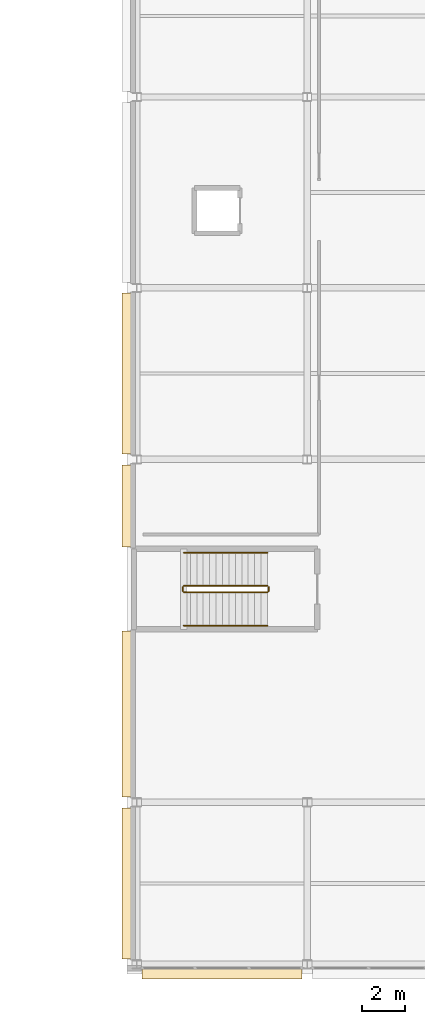
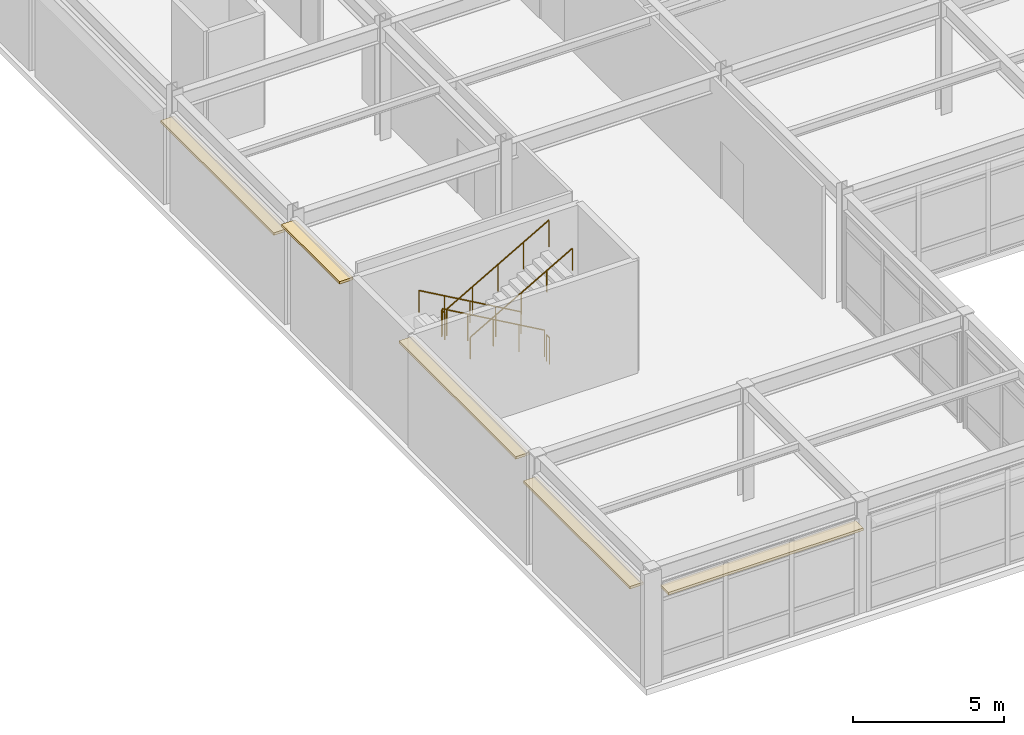
# One storey, part 85 of 93: 6 railings, 5 coverings.
"""IFC4 building model written with IfcOpenShell, lengths in metres."""

from ifc_helpers import new_model, si_unit, direction, frame, origin, origin_2d, place, context, subcontext, project, spatial, rectangle, circle, extrude, material, layer, layer_set, type_object, element, save


model = new_model("IFC4")

# Units and contexts
model_context = context("Model", 3, precision=1e-05, world=origin(), true_north=direction((0.0, 1.0)))
body_context = subcontext(model_context, "Body", "Model", "MODEL_VIEW")
ifc_project = project(units=[si_unit("LENGTHUNIT", "METRE"), si_unit("AREAUNIT", "SQUARE_METRE"), si_unit("VOLUMEUNIT", "CUBIC_METRE"), si_unit("PLANEANGLEUNIT", "RADIAN"), si_unit("MASSUNIT", "GRAM", prefix="KILO")], contexts=[model_context])

# Site, building, storey
site_placement = place(None, origin())
site = spatial("IfcSite", under=ifc_project, at=site_placement, CompositionType="ELEMENT")
building_placement = place(site_placement, origin())
building = spatial("IfcBuilding", under=site, at=building_placement, Name="Kazehara Bluff Congress Hotel", CompositionType="ELEMENT")
storey_placement = place(building_placement, frame((0.0, 0.0, 15.0)))
storey = spatial("IfcBuildingStorey", under=building, at=storey_placement, Name="L03", CompositionType="ELEMENT", Elevation=15.0)

# Coverings
ifc_material_1 = material(Name="Anodised aluminium architectural brise-soleil", Category="aluminium")
ifc_layer = layer(ifc_material_1, 0.10009765625)
ifc_layer_set = layer_set([ifc_layer], Name="Anodised aluminium architectural brise-soleil")
covering_type = type_object("IfcCoveringType", Name="TP-FAC-FIN", PredefinedType="CLADDING", material=ifc_layer_set)
covering_1_placement = place(storey_placement, frame((63.675048828125, 0.030029296875, 3.71484375), z_axis=(0.0, 0.0, 1.0), x_axis=(1.0, 0.0, 0.0)))
element("IfcCovering", 1, at=covering_1_placement, inside=storey, type_object=covering_type, Name="L03 V4 architectural sun-hood 136", PredefinedType="CLADDING", context=body_context, shape_type="SweptSolid", body=[
    extrude(rectangle(XDim=7.449951171875, YDim=0.52001953125, at=origin_2d()), origin(), (0.0, 0.0, 1.0), 0.10009765625),
])
covering_2_placement = place(storey_placement, frame((59.280029296875, 4.22509765625, 3.71484375), z_axis=(0.0, 0.0, 1.0), x_axis=(1.0, 0.0, 0.0)))
element("IfcCovering", 2, at=covering_2_placement, inside=storey, type_object=covering_type, Name="L03 V4 architectural sun-hood 144", PredefinedType="CLADDING", context=body_context, shape_type="SweptSolid", body=[
    extrude(rectangle(XDim=0.52001953125, YDim=7.050048828125, at=origin_2d()), origin(), (0.0, 0.0, 1.0), 0.10009765625),
])
covering_3_placement = place(storey_placement, frame((59.280029296875, 12.1201171875, 4.375), z_axis=(0.0, 0.0, 1.0), x_axis=(1.0, 0.0, 0.0)))
element("IfcCovering", 3, at=covering_3_placement, inside=storey, type_object=covering_type, Name="L03 V4 architectural sun-hood 145", PredefinedType="CLADDING", context=body_context, shape_type="SweptSolid", body=[
    extrude(rectangle(XDim=0.52001953125, YDim=7.735107421875, at=origin_2d()), origin(), (0.0, 0.0, 1.0), 0.10009765625),
])
covering_4_placement = place(storey_placement, frame((59.280029296875, 21.830078125, 4.375), z_axis=(0.0, 0.0, 1.0), x_axis=(1.0, 0.0, 0.0)))
element("IfcCovering", 4, at=covering_4_placement, inside=storey, type_object=covering_type, Name="L03 V4 architectural sun-hood 146", PredefinedType="CLADDING", context=body_context, shape_type="SweptSolid", body=[
    extrude(rectangle(XDim=0.52001953125, YDim=3.8349609375, at=origin_2d()), origin(), (0.0, 0.0, 1.0), 0.10009765625),
])
covering_5_placement = place(storey_placement, frame((59.280029296875, 28.0, 3.71484375), z_axis=(0.0, 0.0, 1.0), x_axis=(1.0, 0.0, 0.0)))
element("IfcCovering", 5, at=covering_5_placement, inside=storey, type_object=covering_type, Name="L03 V4 architectural sun-hood 147", PredefinedType="CLADDING", context=body_context, shape_type="SweptSolid", body=[
    extrude(rectangle(XDim=0.52001953125, YDim=7.5, at=origin_2d()), origin(), (0.0, 0.0, 1.0), 0.10009765625),
])

# Railings
ifc_material_2 = material(Name="Brushed stainless steel", Category="steel")
railing_type_1 = type_object("IfcRailingType", Name="TP-GRD-INT", PredefinedType="GUARDRAIL", material=ifc_material_2)
railing_1_placement = place(storey_placement, frame((65.800048828125, 18.10009765625, 0.17138671875)))
element("IfcRailing", 6, at=railing_1_placement, inside=storey, type_object=railing_type_1, Name="L03 ST-08 stair guard 1", PredefinedType="GUARDRAIL", context=body_context, shape_type="SweptSolid", body=[
    extrude(circle(Radius=0.02392578125, at=origin_2d()), frame((0.0, 0.0, 1.076171875), z_axis=(-0.868256520506, 0.0, 0.496115525457), x_axis=(0.0, -1.0, 0.0)), (0.0, 0.0, 1.0), 4.491943359375),
    extrude(circle(Radius=0.02099609375, at=origin_2d()), origin(), (0.0, 0.0, 1.0), 1.052001953125),
    extrude(circle(Radius=0.02099609375, at=origin_2d()), frame((-0.97509765625, 0.0, 0.55712890625)), (0.0, 0.0, 1.0), 1.052001953125),
    extrude(circle(Radius=0.02099609375, at=origin_2d()), frame((-1.9501953125, 0.0, 1.1142578125)), (0.0, 0.0, 1.0), 1.052001953125),
    extrude(circle(Radius=0.02099609375, at=origin_2d()), frame((-2.925048828125, 0.0, 1.67138671875)), (0.0, 0.0, 1.0), 1.052001953125),
    extrude(circle(Radius=0.02099609375, at=origin_2d()), frame((-3.900146484375, 0.0, 2.228515625)), (0.0, 0.0, 1.0), 1.052001953125),
])
railing_2_placement = place(storey_placement, frame((61.85009765625, 18.050048828125, 2.39990234375)))
element("IfcRailing", 7, at=railing_2_placement, inside=storey, type_object=railing_type_1, Name="L03 ST-08 stair guard 2", PredefinedType="GUARDRAIL", context=body_context, shape_type="SweptSolid", body=[
    extrude(circle(Radius=0.02392578125, at=origin_2d()), frame((0.0, 0.0, 1.076171875), z_axis=(0.0, -1.0, 0.0), x_axis=(1.0, 0.0, 0.0)), (0.0, 0.0, 1.0), 0.199951171875),
    extrude(circle(Radius=0.02099609375, at=origin_2d()), origin(), (0.0, 0.0, 1.0), 1.052001953125),
    extrude(circle(Radius=0.02099609375, at=origin_2d()), frame((0.0, -0.199951171875, 0.0)), (0.0, 0.0, 1.0), 1.052001953125),
])
railing_3_placement = place(storey_placement, frame((61.89990234375, 17.800048828125, 2.571533203125)))
element("IfcRailing", 8, at=railing_3_placement, inside=storey, type_object=railing_type_1, Name="L03 ST-08 stair guard 3", PredefinedType="GUARDRAIL", context=body_context, shape_type="SweptSolid", body=[
    extrude(circle(Radius=0.02392578125, at=origin_2d()), frame((0.0, 0.0, 1.076171875), z_axis=(0.868256520506, 0.0, 0.496115525457), x_axis=(0.0, 1.0, 0.0)), (0.0, 0.0, 1.0), 4.491943359375),
    extrude(circle(Radius=0.02099609375, at=origin_2d()), origin(), (0.0, 0.0, 1.0), 1.052001953125),
    extrude(circle(Radius=0.02099609375, at=origin_2d()), frame((0.97509765625, 0.0, 0.55712890625)), (0.0, 0.0, 1.0), 1.052001953125),
    extrude(circle(Radius=0.02099609375, at=origin_2d()), frame((1.9501953125, 0.0, 1.1142578125)), (0.0, 0.0, 1.0), 1.052001953125),
    extrude(circle(Radius=0.02099609375, at=origin_2d()), frame((2.925048828125, 0.0, 1.67138671875)), (0.0, 0.0, 1.0), 1.052001953125),
    extrude(circle(Radius=0.02099609375, at=origin_2d()), frame((3.900146484375, 0.0, 2.228515625)), (0.0, 0.0, 1.0), 1.052001953125),
])
railing_4_placement = place(storey_placement, frame((65.85009765625, 18.050048828125, 0.0)))
element("IfcRailing", 9, at=railing_4_placement, inside=storey, type_object=railing_type_1, Name="L03 ST-08 stair guard 4", PredefinedType="GUARDRAIL", context=body_context, shape_type="SweptSolid", body=[
    extrude(circle(Radius=0.02392578125, at=origin_2d()), frame((0.0, 0.0, 1.076171875), z_axis=(0.0, -1.0, 0.0), x_axis=(1.0, 0.0, 0.0)), (0.0, 0.0, 1.0), 0.199951171875),
    extrude(circle(Radius=0.02099609375, at=origin_2d()), origin(), (0.0, 0.0, 1.0), 1.052001953125),
    extrude(circle(Radius=0.02099609375, at=origin_2d()), frame((0.0, -0.199951171875, 0.0)), (0.0, 0.0, 1.0), 1.052001953125),
])
ifc_material_3 = material(Name="Brushed stainless steel", Category="steel")
railing_type_2 = type_object("IfcRailingType", Name="TP-HR-INT", PredefinedType="HANDRAIL", material=ifc_material_3)
railing_5_placement = place(storey_placement, frame((65.800048828125, 19.64990234375, 0.17138671875)))
element("IfcRailing", 10, at=railing_5_placement, inside=storey, type_object=railing_type_2, Name="L03 ST-08 stair handrail 1", PredefinedType="HANDRAIL", context=body_context, shape_type="SweptSolid", body=[
    extrude(circle(Radius=0.02392578125, at=origin_2d()), frame((0.0, 0.0, 0.8759765625), z_axis=(-0.868256520506, 0.0, 0.496115525457), x_axis=(0.0, -1.0, 0.0)), (0.0, 0.0, 1.0), 4.491943359375),
    extrude(circle(Radius=0.02099609375, at=origin_2d()), origin(), (0.0, 0.0, 1.0), 0.851806640625),
    extrude(circle(Radius=0.02099609375, at=origin_2d()), frame((-0.97509765625, 0.0, 0.55712890625)), (0.0, 0.0, 1.0), 0.851806640625),
    extrude(circle(Radius=0.02099609375, at=origin_2d()), frame((-1.9501953125, 0.0, 1.1142578125)), (0.0, 0.0, 1.0), 0.851806640625),
    extrude(circle(Radius=0.02099609375, at=origin_2d()), frame((-2.925048828125, 0.0, 1.67138671875)), (0.0, 0.0, 1.0), 0.851806640625),
    extrude(circle(Radius=0.02099609375, at=origin_2d()), frame((-3.900146484375, 0.0, 2.228515625)), (0.0, 0.0, 1.0), 0.851806640625),
])
railing_6_placement = place(storey_placement, frame((61.89990234375, 16.25, 2.571533203125)))
element("IfcRailing", 11, at=railing_6_placement, inside=storey, type_object=railing_type_2, Name="L03 ST-08 stair handrail 2", PredefinedType="HANDRAIL", context=body_context, shape_type="SweptSolid", body=[
    extrude(circle(Radius=0.02392578125, at=origin_2d()), frame((0.0, 0.0, 0.8759765625), z_axis=(0.868256520506, 0.0, 0.496115525457), x_axis=(0.0, 1.0, 0.0)), (0.0, 0.0, 1.0), 4.491943359375),
    extrude(circle(Radius=0.02099609375, at=origin_2d()), origin(), (0.0, 0.0, 1.0), 0.851806640625),
    extrude(circle(Radius=0.02099609375, at=origin_2d()), frame((0.97509765625, 0.0, 0.55712890625)), (0.0, 0.0, 1.0), 0.851806640625),
    extrude(circle(Radius=0.02099609375, at=origin_2d()), frame((1.9501953125, 0.0, 1.1142578125)), (0.0, 0.0, 1.0), 0.851806640625),
    extrude(circle(Radius=0.02099609375, at=origin_2d()), frame((2.925048828125, 0.0, 1.67138671875)), (0.0, 0.0, 1.0), 0.851806640625),
    extrude(circle(Radius=0.02099609375, at=origin_2d()), frame((3.900146484375, 0.0, 2.228515625)), (0.0, 0.0, 1.0), 0.851806640625),
])

save(model, "model.ifc")
